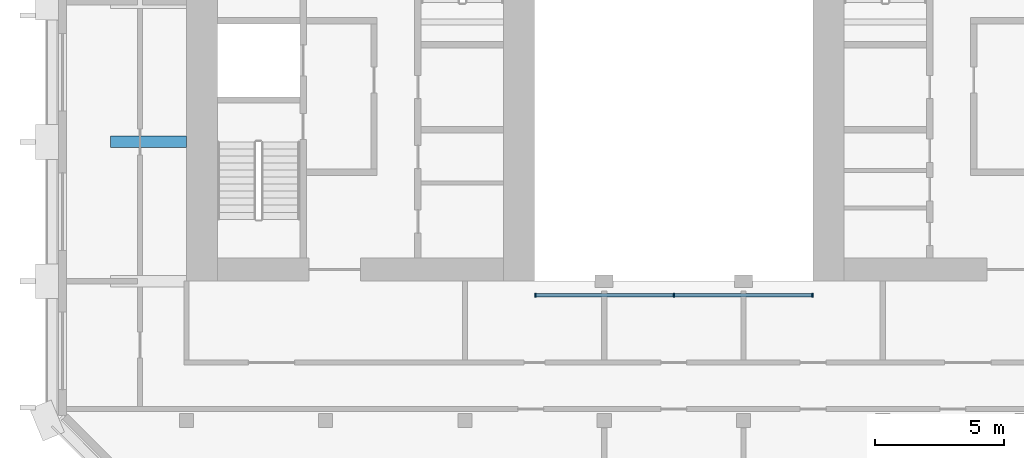
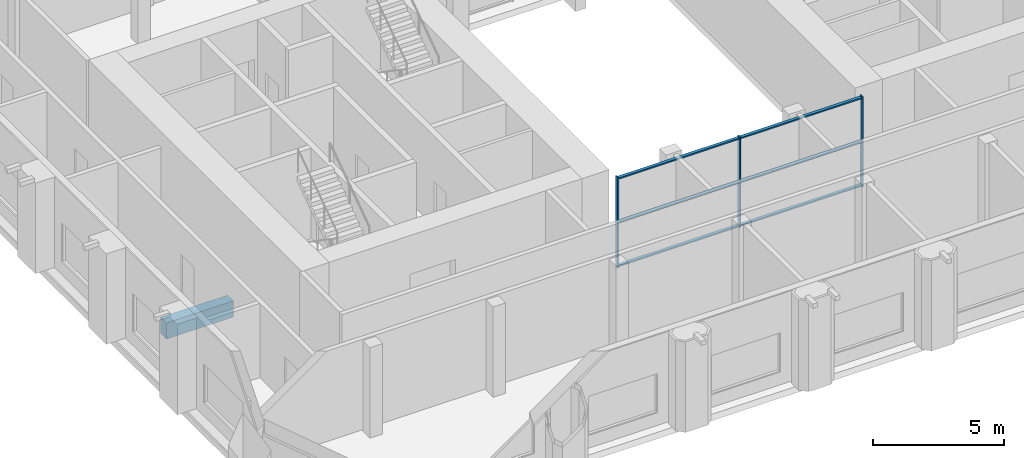
# One storey, part 2 of 12: 9 members, 1 beam, 1 element without a shape of its own.
"""IFC4 building model written with IfcOpenShell, lengths in metres."""

from ifc_helpers import new_model, si_unit, direction, frame, origin, origin_2d, place, context, subcontext, project, spatial, rectangle, extrude, material, material_profile, profile_set, type_object, element, aggregate, save


model = new_model("IFC4")

# Units and contexts
model_context = context("Model", 3, precision=1e-05, world=origin(), true_north=direction((0.0, 1.0)))
body_context = subcontext(model_context, "Body", "Model", "MODEL_VIEW")
ifc_project = project(units=[si_unit("LENGTHUNIT", "METRE"), si_unit("AREAUNIT", "SQUARE_METRE"), si_unit("VOLUMEUNIT", "CUBIC_METRE"), si_unit("PLANEANGLEUNIT", "RADIAN"), si_unit("MASSUNIT", "GRAM", prefix="KILO")], contexts=[model_context])

# Site, building, storey
site_placement = place(None, origin())
site = spatial("IfcSite", under=ifc_project, at=site_placement, CompositionType="ELEMENT")
building_placement = place(site_placement, origin())
building = spatial("IfcBuilding", under=site, at=building_placement, Name="Tabaq Tower and Sports Hall", CompositionType="ELEMENT")
storey_placement = place(building_placement, frame((0.0, 0.0, 317.199951171875)))
storey = spatial("IfcBuildingStorey", under=building, at=storey_placement, Name="L79", CompositionType="ELEMENT", Elevation=317.199951171875)

# Curtain wall, members
ifc_material_1 = material(Name="Aluminium alloy 6063-T6 framed glazing", Category="aluminium")
curtain_wall_type = type_object("IfcCurtainWallType", Name="CW1 curtain wall", PredefinedType="USERDEFINED", material=ifc_material_1)
curtain_wall_placement = place(storey_placement, origin())
curtain_wall = element("IfcCurtainWall", 1, at=curtain_wall_placement, inside=storey, type_object=curtain_wall_type, Name="Atrium glazing L79 S", ObjectType="ATRIUM ENCLOSURE", PredefinedType="USERDEFINED")
ifc_material_2 = material(Name="Aluminium alloy 6063-T6", Category="aluminium")
ifc_material_profile_1 = material_profile(ifc_material_2, rectangle(XDim=0.159912109375, YDim=0.06005859375, at=origin_2d()), Name="MULLION 160x60")
ifc_profile_set_1 = profile_set([ifc_material_profile_1], Name="Aluminium alloy 6063-T6")
member_type_1 = type_object("IfcMemberType", Name="CW1 mullion 160x60", PredefinedType="MULLION", material=ifc_profile_set_1)
member_1_placement = place(storey_placement, frame((18.929931640625, 15.64990234375, 0.0), z_axis=(0.0, 0.0, 1.0), x_axis=(0.0, 1.0, 0.0)))
member_1 = element("IfcMember", 2, at=member_1_placement, type_object=member_type_1, Name="CW1 mullion 1", PredefinedType="MULLION", context=body_context, shape_type="SweptSolid", body=[
    extrude(rectangle(XDim=0.159912109375, YDim=0.06005859375, at=origin_2d()), origin(), (0.0, 0.0, 1.0), 4.199951171875),
])
member_2_placement = place(storey_placement, frame((24.300048828125, 15.64990234375, 0.0), z_axis=(0.0, 0.0, 1.0), x_axis=(0.0, 1.0, 0.0)))
member_2 = element("IfcMember", 3, at=member_2_placement, type_object=member_type_1, Name="CW1 mullion 2", PredefinedType="MULLION", context=body_context, shape_type="SweptSolid", body=[
    extrude(rectangle(XDim=0.159912109375, YDim=0.06005859375, at=origin_2d()), origin(), (0.0, 0.0, 1.0), 4.199951171875),
])
member_3_placement = place(storey_placement, frame((29.669921875, 15.64990234375, 0.0), z_axis=(0.0, 0.0, 1.0), x_axis=(0.0, 1.0, 0.0)))
member_3 = element("IfcMember", 4, at=member_3_placement, type_object=member_type_1, Name="CW1 mullion 3", PredefinedType="MULLION", context=body_context, shape_type="SweptSolid", body=[
    extrude(rectangle(XDim=0.159912109375, YDim=0.06005859375, at=origin_2d()), origin(), (0.0, 0.0, 1.0), 4.199951171875),
])
ifc_material_3 = material(Name="Aluminium alloy 6063-T6", Category="aluminium")
ifc_material_profile_2 = material_profile(ifc_material_3, rectangle(XDim=0.139892578125, YDim=0.06005859375, at=origin_2d()), Name="TRANSOM 140x60")
ifc_profile_set_2 = profile_set([ifc_material_profile_2], Name="Aluminium alloy 6063-T6")
member_type_2 = type_object("IfcMemberType", Name="CW1 transom 140x60", PredefinedType="USERDEFINED", material=ifc_profile_set_2)
member_4_placement = place(storey_placement, frame((18.9599609375, 15.64990234375, 0.070068359375), z_axis=(1.0, 0.0, 0.0), x_axis=(0.0, 1.0, 0.0)))
member_4 = element("IfcMember", 5, at=member_4_placement, type_object=member_type_2, Name="CW1 transom 1.1", ObjectType="TRANSOM", PredefinedType="USERDEFINED", context=body_context, shape_type="SweptSolid", body=[
    extrude(rectangle(XDim=0.139892578125, YDim=0.06005859375, at=origin_2d()), origin(), (0.0, 0.0, 1.0), 5.31005859375),
])
member_5_placement = place(storey_placement, frame((18.9599609375, 15.64990234375, 2.10009765625), z_axis=(1.0, 0.0, 0.0), x_axis=(0.0, 1.0, 0.0)))
member_5 = element("IfcMember", 6, at=member_5_placement, type_object=member_type_2, Name="CW1 transom 1.2", ObjectType="TRANSOM", PredefinedType="USERDEFINED", context=body_context, shape_type="SweptSolid", body=[
    extrude(rectangle(XDim=0.139892578125, YDim=0.06005859375, at=origin_2d()), origin(), (0.0, 0.0, 1.0), 5.31005859375),
])
member_6_placement = place(storey_placement, frame((18.9599609375, 15.64990234375, 4.130126953125), z_axis=(1.0, 0.0, 0.0), x_axis=(0.0, 1.0, 0.0)))
member_6 = element("IfcMember", 7, at=member_6_placement, type_object=member_type_2, Name="CW1 transom 1.3", ObjectType="TRANSOM", PredefinedType="USERDEFINED", context=body_context, shape_type="SweptSolid", body=[
    extrude(rectangle(XDim=0.139892578125, YDim=0.06005859375, at=origin_2d()), origin(), (0.0, 0.0, 1.0), 5.31005859375),
])
member_7_placement = place(storey_placement, frame((24.330078125, 15.64990234375, 0.070068359375), z_axis=(1.0, 0.0, 0.0), x_axis=(0.0, 1.0, 0.0)))
member_7 = element("IfcMember", 8, at=member_7_placement, type_object=member_type_2, Name="CW1 transom 2.1", ObjectType="TRANSOM", PredefinedType="USERDEFINED", context=body_context, shape_type="SweptSolid", body=[
    extrude(rectangle(XDim=0.139892578125, YDim=0.06005859375, at=origin_2d()), origin(), (0.0, 0.0, 1.0), 5.309814453125),
])
member_8_placement = place(storey_placement, frame((24.330078125, 15.64990234375, 2.10009765625), z_axis=(1.0, 0.0, 0.0), x_axis=(0.0, 1.0, 0.0)))
member_8 = element("IfcMember", 9, at=member_8_placement, type_object=member_type_2, Name="CW1 transom 2.2", ObjectType="TRANSOM", PredefinedType="USERDEFINED", context=body_context, shape_type="SweptSolid", body=[
    extrude(rectangle(XDim=0.139892578125, YDim=0.06005859375, at=origin_2d()), origin(), (0.0, 0.0, 1.0), 5.309814453125),
])
member_9_placement = place(storey_placement, frame((24.330078125, 15.64990234375, 4.130126953125), z_axis=(1.0, 0.0, 0.0), x_axis=(0.0, 1.0, 0.0)))
member_9 = element("IfcMember", 10, at=member_9_placement, type_object=member_type_2, Name="CW1 transom 2.3", ObjectType="TRANSOM", PredefinedType="USERDEFINED", context=body_context, shape_type="SweptSolid", body=[
    extrude(rectangle(XDim=0.139892578125, YDim=0.06005859375, at=origin_2d()), origin(), (0.0, 0.0, 1.0), 5.309814453125),
])
aggregate(curtain_wall, [member_1, member_2, member_3, member_4, member_5, member_6, member_7, member_8, member_9])

# Beam
ifc_material_4 = material(Name="Concrete C40/50", Category="concrete")
ifc_material_profile_3 = material_profile(ifc_material_4, rectangle(XDim=0.449951171875, YDim=0.75, at=origin_2d()), Name="CB 450x750")
ifc_profile_set_3 = profile_set([ifc_material_profile_3], Name="Concrete C40/50")
beam_type = type_object("IfcBeamType", Name="PT CANTILEVER BEAM CB 450x750 C40/50", PredefinedType="BEAM", material=ifc_profile_set_3)
beam_placement = place(storey_placement, frame((2.449951171875, 21.60009765625, -0.675048828125), z_axis=(1.0, 0.0, 0.0), x_axis=(0.0, 1.0, 0.0)))
element("IfcBeam", 11, at=beam_placement, inside=storey, type_object=beam_type, Name="Cantilever Beam L79 W4 span 1", PredefinedType="BEAM", context=body_context, shape_type="SweptSolid", body=[
    extrude(rectangle(XDim=0.449951171875, YDim=0.75, at=origin_2d()), origin(), (0.0, 0.0, 1.0), 2.949951171875),
])

save(model, "model.ifc")
